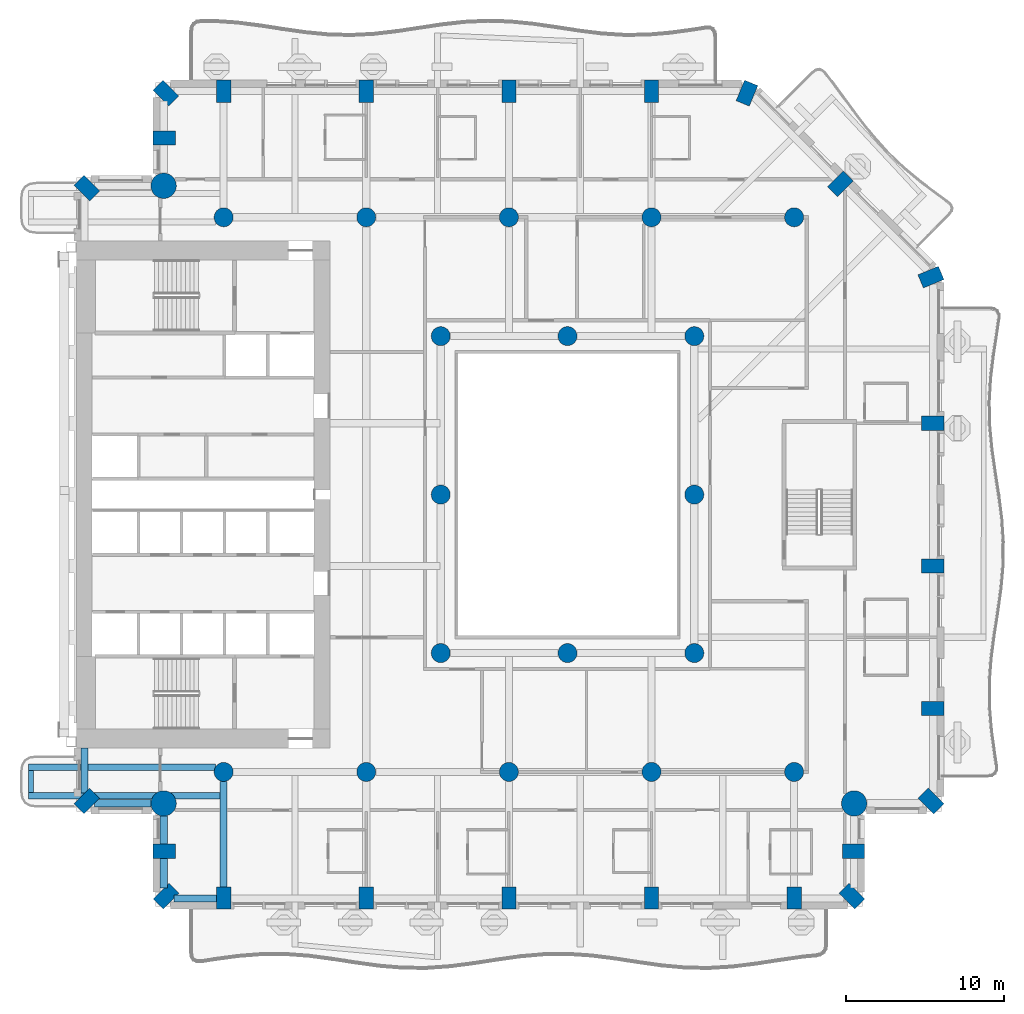
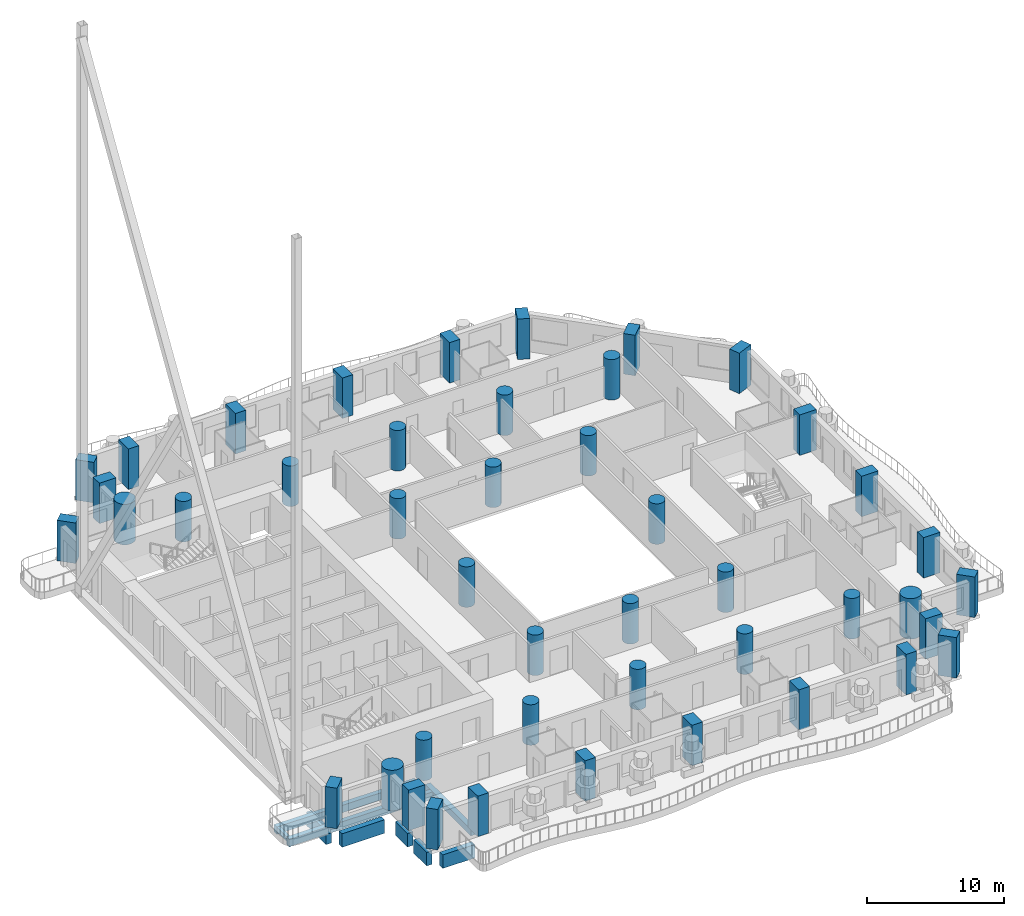
# One storey, part 1 of 24: 45 columns, 9 beams.
"""IFC4 building model written with IfcOpenShell, lengths in metres."""

from ifc_helpers import new_model, si_unit, direction, frame, origin, origin_2d, place, context, subcontext, project, spatial, rectangle, circle, extrude, material, material_profile, profile_set, type_object, element, save


model = new_model("IFC4")

# Units and contexts
model_context = context("Model", 3, precision=1e-05, world=origin(), true_north=direction((0.0, 1.0)))
body_context = subcontext(model_context, "Body", "Model", "MODEL_VIEW")
ifc_project = project(units=[si_unit("LENGTHUNIT", "METRE"), si_unit("AREAUNIT", "SQUARE_METRE"), si_unit("VOLUMEUNIT", "CUBIC_METRE"), si_unit("PLANEANGLEUNIT", "RADIAN"), si_unit("MASSUNIT", "GRAM", prefix="KILO")], contexts=[model_context])

# Site, building, storey
site_placement = place(None, origin())
site = spatial("IfcSite", under=ifc_project, at=site_placement, CompositionType="ELEMENT")
building_placement = place(site_placement, origin())
building = spatial("IfcBuilding", under=site, at=building_placement, Name="Cypress Arch Tower", CompositionType="ELEMENT")
storey_placement = place(building_placement, frame((0.0, 0.0, 102.300048828125)))
storey = spatial("IfcBuildingStorey", under=building, at=storey_placement, Name="L20", CompositionType="ELEMENT", Elevation=102.300048828125)

# Columns
ifc_material_1 = material(Name="Concrete C80/95", Category="concrete")
ifc_material_profile_1 = material_profile(ifc_material_1, rectangle(XDim=0.89990234375, YDim=1.39990234375, at=origin_2d()), Name="RC 900x1400")
ifc_profile_set_1 = profile_set([ifc_material_profile_1], Name="Concrete C80/95")
column_type_1 = type_object("IfcColumnType", Name="Column RC 900x1400 Concrete C80/95", PredefinedType="COLUMN", material=ifc_profile_set_1)
for number, where, z_axis, x_axis, name in (
    (1, (-29.3369140625, 19.3369140625, 0.0), (0.0, 0.0, 1.0), (-0.707106781187, -0.707106781187, 0.0), "Column L20 CA00"),
    (2, (-29.3369140625, -19.3369140625, 0.0), (0.0, 0.0, 1.0), (0.707106781187, -0.707106781187, 0.0), "Column L20 CA01"),
    (3, (-24.449951171875, -22.5, 0.0), (0.0, 0.0, 1.0), (0.0, -1.0, 0.0), "Column L20 CA03"),
    (4, (-24.3369140625, -25.3369140625, 0.0), (0.0, 0.0, 1.0), (0.707106781187, -0.707106781187, 0.0), "Column L20 CA04"),
    (5, (-20.699951171875, -25.449951171875, 0.0), (0.0, 0.0, 1.0), (1.0, 0.0, 0.0), "Column L20 CA05"),
    (6, (-11.699951171875, -25.449951171875, 0.0), (0.0, 0.0, 1.0), (1.0, 0.0, 0.0), "Column L20 CA06"),
    (7, (-2.699951171875, -25.449951171875, 0.0), (0.0, 0.0, 1.0), (1.0, 0.0, 0.0), "Column L20 CA07"),
    (8, (6.300048828125, -25.449951171875, 0.0), (0.0, 0.0, 1.0), (1.0, 0.0, 0.0), "Column L20 CA08"),
    (9, (15.300048828125, -25.449951171875, 0.0), (0.0, 0.0, 1.0), (1.0, 0.0, 0.0), "Column L20 CA09"),
    (10, (18.936767578125, -25.3369140625, 0.0), (0.0, 0.0, 1.0), (0.707106781187, 0.707106781187, 0.0), "Column L20 CA10"),
    (11, (19.050048828125, -22.5, 0.0), (0.0, 0.0, 1.0), (0.0, 1.0, 0.0), "Column L20 CA11"),
    (12, (23.936767578125, -19.3369140625, 0.0), (0.0, 0.0, 1.0), (0.707106781187, 0.707106781187, 0.0), "Column L20 CA13"),
    (13, (24.050048828125, -13.5, 0.0), (0.0, 0.0, 1.0), (0.0, 1.0, 0.0), "Column L20 CA14"),
    (14, (24.050048828125, -4.5, 0.0), (0.0, 0.0, 1.0), (0.0, 1.0, 0.0), "Column L20 CA15"),
    (15, (24.050048828125, 4.5, 0.0), (0.0, 0.0, 1.0), (0.0, 1.0, 0.0), "Column L20 CA16"),
    (16, (23.93115234375, 13.722900390625, 0.0), (0.0, 0.0, 1.0), (-0.382683496864, 0.923879505795, 0.0), "Column L20 CA17"),
    (17, (18.211181640625, 19.611083984375, 0.0), (0.0, 0.0, 1.0), (-0.707106781187, 0.707106781187, 0.0), "Column L20 CA18"),
    (18, (12.322998046875, 25.3310546875, 0.0), (0.0, 0.0, 1.0), (-0.923879505795, 0.382683496864, 0.0), "Column L20 CA19"),
    (19, (6.300048828125, 25.449951171875, 0.0), (0.0, 0.0, 1.0), (-1.0, 0.0, 0.0), "Column L20 CA20"),
    (20, (-2.699951171875, 25.449951171875, 0.0), (0.0, 0.0, 1.0), (-1.0, 0.0, 0.0), "Column L20 CA21"),
    (21, (-11.699951171875, 25.449951171875, 0.0), (0.0, 0.0, 1.0), (-1.0, 0.0, 0.0), "Column L20 CA22"),
    (22, (-20.699951171875, 25.449951171875, 0.0), (0.0, 0.0, 1.0), (-1.0, 0.0, 0.0), "Column L20 CA23"),
    (23, (-24.3369140625, 25.3369140625, 0.0), (0.0, 0.0, 1.0), (-0.707106781187, -0.707106781187, 0.0), "Column L20 CA24"),
    (24, (-24.449951171875, 22.5, 0.0), (0.0, 0.0, 1.0), (0.0, -1.0, 0.0), "Column L20 CA25"),
):
    element("IfcColumn", number, at=place(storey_placement, frame(where, z_axis=z_axis, x_axis=x_axis)), inside=storey, type_object=column_type_1, Name=name, PredefinedType="COLUMN", context=body_context, shape_type="SweptSolid", body=[
        extrude(rectangle(XDim=0.89990234375, YDim=1.39990234375, at=origin_2d()), origin(), (0.0, 0.0, 1.0), 3.599853515625),
    ])
ifc_material_2 = material(Name="Concrete C80/95", Category="concrete")
ifc_material_profile_2 = material_profile(ifc_material_2, circle(Radius=0.60009765625, at=origin_2d()), Name="RC D1200")
ifc_profile_set_2 = profile_set([ifc_material_profile_2], Name="Concrete C80/95")
column_type_2 = type_object("IfcColumnType", Name="Column RC D1200 Concrete C80/95", PredefinedType="COLUMN", material=ifc_profile_set_2)
for number, where, z_axis, x_axis, name in (
    (25, (-20.699951171875, -17.5, 0.0), (0.0, 0.0, 1.0), (1.0, 0.0, 0.0), "Column L20 CIC-L20-CI3S"),
    (26, (-11.699951171875, -17.5, 0.0), (0.0, 0.0, 1.0), (1.0, 0.0, 0.0), "Column L20 CIC-L20-CI4S"),
    (27, (-2.699951171875, -17.5, 0.0), (0.0, 0.0, 1.0), (1.0, 0.0, 0.0), "Column L20 CIC-L20-CI5S"),
    (28, (6.300048828125, -17.5, 0.0), (0.0, 0.0, 1.0), (1.0, 0.0, 0.0), "Column L20 CIC-L20-CI6S"),
    (29, (15.300048828125, -17.5, 0.0), (0.0, 0.0, 1.0), (1.0, 0.0, 0.0), "Column L20 CIC-L20-CI7S"),
    (30, (-20.699951171875, 17.5, 0.0), (0.0, 0.0, 1.0), (1.0, 0.0, 0.0), "Column L20 CIC-L20-CI3N"),
    (31, (-11.699951171875, 17.5, 0.0), (0.0, 0.0, 1.0), (1.0, 0.0, 0.0), "Column L20 CIC-L20-CI4N"),
    (32, (-2.699951171875, 17.5, 0.0), (0.0, 0.0, 1.0), (1.0, 0.0, 0.0), "Column L20 CIC-L20-CI5N"),
    (33, (6.300048828125, 17.5, 0.0), (0.0, 0.0, 1.0), (1.0, 0.0, 0.0), "Column L20 CIC-L20-CI6N"),
    (34, (15.300048828125, 17.5, 0.0), (0.0, 0.0, 1.0), (1.0, 0.0, 0.0), "Column L20 CIC-L20-CI7N"),
    (35, (-7.0, -10.0, 0.0), (0.0, 0.0, 1.0), (1.0, 0.0, 0.0), "Column L20 RNG-L20-G-7-10"),
    (36, (-7.0, 0.0, 0.0), (0.0, 0.0, 1.0), (1.0, 0.0, 0.0), "Column L20 RNG-L20-G-7+0"),
    (37, (-7.0, 10.0, 0.0), (0.0, 0.0, 1.0), (1.0, 0.0, 0.0), "Column L20 RNG-L20-G-7+10"),
    (38, (1.0, -10.0, 0.0), (0.0, 0.0, 1.0), (1.0, 0.0, 0.0), "Column L20 RNG-L20-G+1-10"),
    (39, (1.0, 10.0, 0.0), (0.0, 0.0, 1.0), (1.0, 0.0, 0.0), "Column L20 RNG-L20-G+1+10"),
    (40, (9.0, -10.0, 0.0), (0.0, 0.0, 1.0), (1.0, 0.0, 0.0), "Column L20 RNG-L20-G+9-10"),
    (41, (9.0, 0.0, 0.0), (0.0, 0.0, 1.0), (1.0, 0.0, 0.0), "Column L20 RNG-L20-G+9+0"),
    (42, (9.0, 10.0, 0.0), (0.0, 0.0, 1.0), (1.0, 0.0, 0.0), "Column L20 RNG-L20-G+9+10"),
):
    element("IfcColumn", number, at=place(storey_placement, frame(where, z_axis=z_axis, x_axis=x_axis)), inside=storey, type_object=column_type_2, Name=name, PredefinedType="COLUMN", context=body_context, shape_type="SweptSolid", body=[
        extrude(circle(Radius=0.60009765625, at=origin_2d()), origin(), (0.0, 0.0, 1.0), 3.599853515625),
    ])
ifc_material_3 = material(Name="Concrete C80/95", Category="concrete")
ifc_material_profile_3 = material_profile(ifc_material_3, circle(Radius=0.800048828125, at=origin_2d()), Name="RC D1600")
ifc_profile_set_3 = profile_set([ifc_material_profile_3], Name="Concrete C80/95")
column_type_3 = type_object("IfcColumnType", Name="Mega-column RC D1600 Concrete C80/95", PredefinedType="COLUMN", material=ifc_profile_set_3)
for number, where, z_axis, x_axis, name in (
    (43, (-24.48779296875, -19.48779296875, 0.0), (0.0, 0.0, 1.0), (1.0, 0.0, 0.0), "Column L20 CA02"),
    (44, (19.087890625, -19.48779296875, 0.0), (0.0, 0.0, 1.0), (1.0, 0.0, 0.0), "Column L20 CA12"),
    (45, (-24.48779296875, 19.48779296875, 0.0), (0.0, 0.0, 1.0), (1.0, 0.0, 0.0), "Column L20 CA26"),
):
    element("IfcColumn", number, at=place(storey_placement, frame(where, z_axis=z_axis, x_axis=x_axis)), inside=storey, type_object=column_type_3, Name=name, PredefinedType="COLUMN", context=body_context, shape_type="SweptSolid", body=[
        extrude(circle(Radius=0.800048828125, at=origin_2d()), origin(), (0.0, 0.0, 1.0), 3.599853515625),
    ])

# Beams
ifc_material_4 = material(Name="Concrete C50/60", Category="concrete")
ifc_material_profile_4 = material_profile(ifc_material_4, rectangle(XDim=0.300048828125, YDim=0.39990234375, at=origin_2d()), Name="RC 300x400")
ifc_profile_set_4 = profile_set([ifc_material_profile_4], Name="Concrete C50/60")
beam_type_1 = type_object("IfcBeamType", Name="Balcony stub beam RC 300x400 Concrete C50/60", PredefinedType="BEAM", material=ifc_profile_set_4)
beam_1_placement = place(storey_placement, frame((-32.85009765625, -17.39990234375, -0.5), z_axis=(0.0, -1.0, 0.0), x_axis=(1.0, 0.0, 0.0)))
element("IfcBeam", 46, at=beam_1_placement, inside=storey, type_object=beam_type_1, Name="Balcony stub beam L20 A00W1", PredefinedType="BEAM", context=body_context, shape_type="SweptSolid", body=[
    extrude(rectangle(XDim=0.300048828125, YDim=0.39990234375, at=origin_2d()), origin(), (0.0, 0.0, 1.0), 1.400146484375),
])
ifc_material_5 = material(Name="Concrete C50/60", Category="concrete")
ifc_material_profile_5 = material_profile(ifc_material_5, rectangle(XDim=0.39990234375, YDim=0.64990234375, at=origin_2d()), Name="RC 400x650")
ifc_profile_set_5 = profile_set([ifc_material_profile_5], Name="Concrete C50/60")
beam_type_2 = type_object("IfcBeamType", Name="Cantilever beam RC 400x650 Concrete C50/60", PredefinedType="BEAM", material=ifc_profile_set_5)
beam_2_placement = place(storey_placement, frame((-21.219482421875, -17.199951171875, -0.625), z_axis=(-1.0, 0.0, 0.0), x_axis=(0.0, -1.0, 0.0)))
element("IfcBeam", 47, at=beam_2_placement, inside=storey, type_object=beam_type_2, Name="Cantilever beam L20 A00 1", PredefinedType="BEAM", context=body_context, shape_type="SweptSolid", body=[
    extrude(rectangle(XDim=0.39990234375, YDim=0.64990234375, at=origin_2d()), origin(), (0.0, 0.0, 1.0), 11.780517578125),
])
beam_3_placement = place(storey_placement, frame((-20.925048828125, -19.0, -0.625), z_axis=(-1.0, 0.0, 0.0), x_axis=(0.0, -1.0, 0.0)))
element("IfcBeam", 48, at=beam_3_placement, inside=storey, type_object=beam_type_2, Name="Cantilever beam L20 A00 2", PredefinedType="BEAM", context=body_context, shape_type="SweptSolid", body=[
    extrude(rectangle(XDim=0.39990234375, YDim=0.64990234375, at=origin_2d()), origin(), (0.0, 0.0, 1.0), 12.074951171875),
])
ifc_material_6 = material(Name="Concrete C50/60", Category="concrete")
ifc_material_profile_6 = material_profile(ifc_material_6, rectangle(XDim=0.449951171875, YDim=0.550048828125, at=origin_2d()), Name="RC 450x550")
ifc_profile_set_6 = profile_set([ifc_material_profile_6], Name="Concrete C50/60")
beam_type_3 = type_object("IfcBeamType", Name="Floor beam RC 450x550 Concrete C50/60", PredefinedType="BEAM", material=ifc_profile_set_6)
beam_4_placement = place(storey_placement, frame((-20.699951171875, -24.75, -0.574951171875), z_axis=(0.0, 1.0, 0.0), x_axis=(-1.0, 0.0, 0.0)))
element("IfcBeam", 49, at=beam_4_placement, inside=storey, type_object=beam_type_3, Name="Floor beam L20 FB019", PredefinedType="BEAM", context=body_context, shape_type="SweptSolid", body=[
    extrude(rectangle(XDim=0.449951171875, YDim=0.550048828125, at=origin_2d()), origin(), (0.0, 0.0, 1.0), 6.64990234375),
])
ifc_material_7 = material(Name="Concrete C50/60", Category="concrete")
ifc_material_profile_7 = material_profile(ifc_material_7, rectangle(XDim=0.449951171875, YDim=1.199951171875, at=origin_2d()), Name="RC 450x1200")
ifc_profile_set_7 = profile_set([ifc_material_profile_7], Name="Concrete C50/60")
beam_type_4 = type_object("IfcBeamType", Name="Spandrel beam RC 450x1200 Concrete C50/60", PredefinedType="SPANDREL", material=ifc_profile_set_7)
beam_5_placement = place(storey_placement, frame((-29.47509765625, -16.0, -1.550048828125), z_axis=(0.0, -1.0, 0.0), x_axis=(1.0, 0.0, 0.0)))
element("IfcBeam", 50, at=beam_5_placement, inside=storey, type_object=beam_type_4, Name="Spandrel beam L20 BA00-0", PredefinedType="SPANDREL", context=body_context, shape_type="SweptSolid", body=[
    extrude(rectangle(XDim=0.449951171875, YDim=1.199951171875, at=origin_2d()), origin(), (0.0, 0.0, 1.0), 2.838623046875),
])
beam_6_placement = place(storey_placement, frame((-28.838623046875, -19.47509765625, -1.550048828125), z_axis=(1.0, 0.0, 0.0), x_axis=(0.0, 1.0, 0.0)))
element("IfcBeam", 51, at=beam_6_placement, inside=storey, type_object=beam_type_4, Name="Spandrel beam L20 BA01-0", PredefinedType="SPANDREL", context=body_context, shape_type="SweptSolid", body=[
    extrude(rectangle(XDim=0.449951171875, YDim=1.199951171875, at=origin_2d()), origin(), (0.0, 0.0, 1.0), 3.551025390625),
])
beam_7_placement = place(storey_placement, frame((-24.47509765625, -20.28759765625, -1.550048828125), z_axis=(0.0, -1.0, 0.0), x_axis=(1.0, 0.0, 0.0)))
element("IfcBeam", 52, at=beam_7_placement, inside=storey, type_object=beam_type_4, Name="Spandrel beam L20 BA02-0", PredefinedType="SPANDREL", context=body_context, shape_type="SweptSolid", body=[
    extrude(rectangle(XDim=0.449951171875, YDim=1.199951171875, at=origin_2d()), origin(), (0.0, 0.0, 1.0), 1.762451171875),
])
beam_8_placement = place(storey_placement, frame((-24.47509765625, -22.949951171875, -1.550048828125), z_axis=(0.0, -1.0, 0.0), x_axis=(1.0, 0.0, 0.0)))
element("IfcBeam", 53, at=beam_8_placement, inside=storey, type_object=beam_type_4, Name="Spandrel beam L20 BA02-1", PredefinedType="SPANDREL", context=body_context, shape_type="SweptSolid", body=[
    extrude(rectangle(XDim=0.449951171875, YDim=1.199951171875, at=origin_2d()), origin(), (0.0, 0.0, 1.0), 1.888671875),
])
beam_9_placement = place(storey_placement, frame((-23.838623046875, -25.47509765625, -1.550048828125), z_axis=(1.0, 0.0, 0.0), x_axis=(0.0, 1.0, 0.0)))
element("IfcBeam", 54, at=beam_9_placement, inside=storey, type_object=beam_type_4, Name="Spandrel beam L20 BA03-0", PredefinedType="SPANDREL", context=body_context, shape_type="SweptSolid", body=[
    extrude(rectangle(XDim=0.449951171875, YDim=1.199951171875, at=origin_2d()), origin(), (0.0, 0.0, 1.0), 2.688720703125),
])

save(model, "model.ifc")
